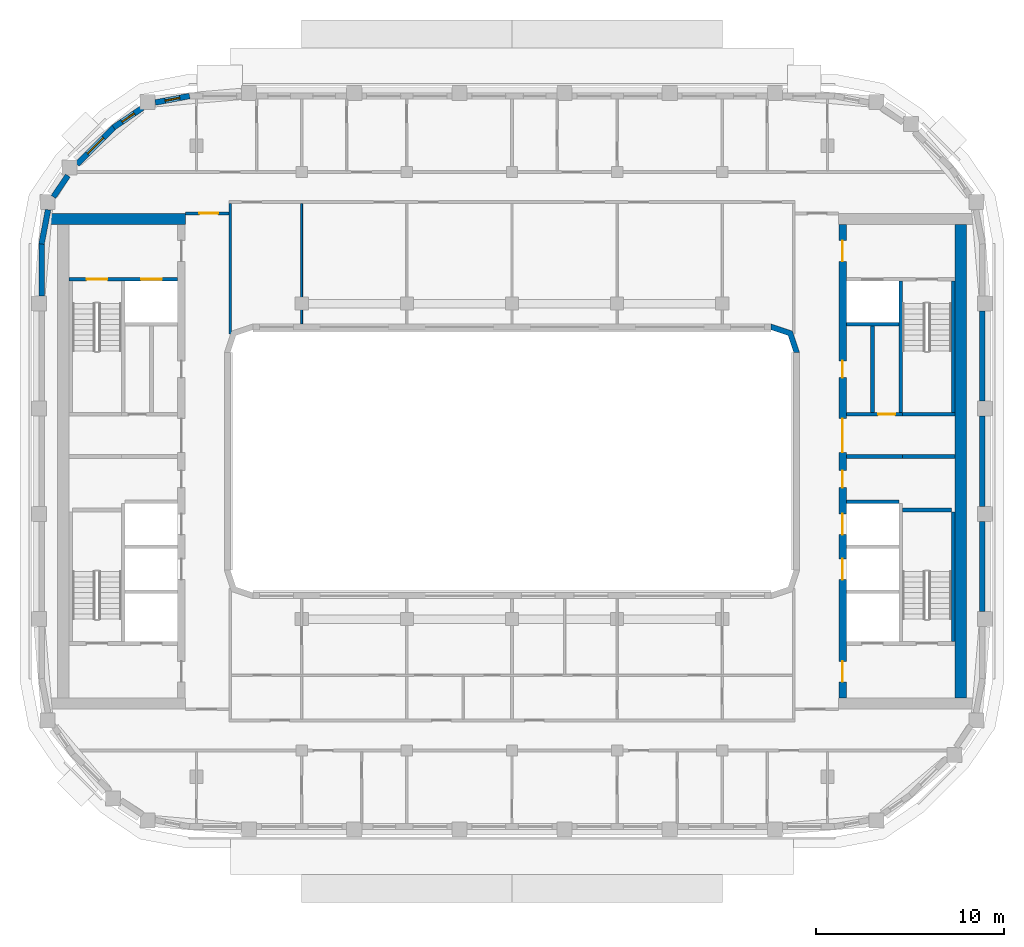
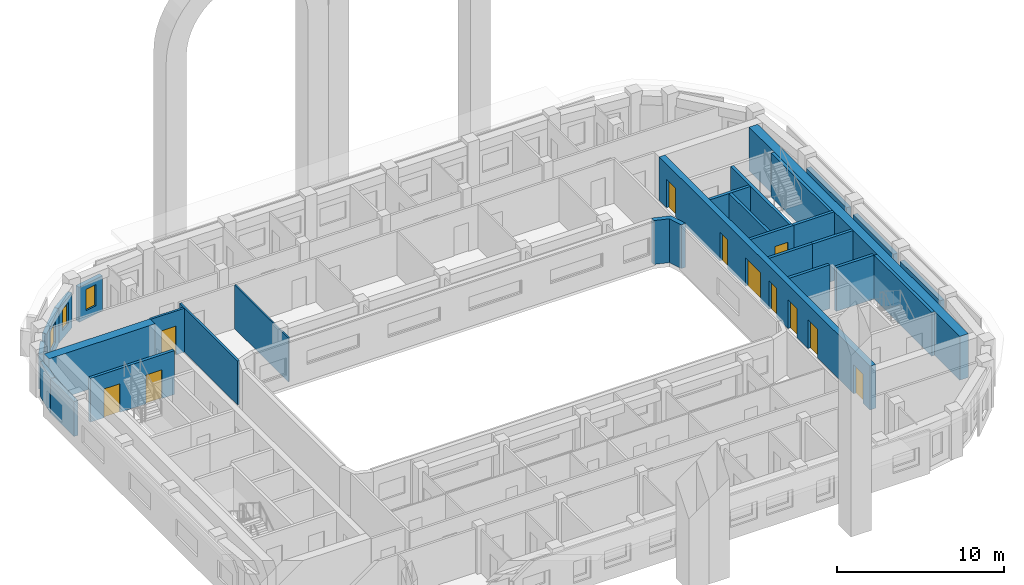
# One storey, part 6 of 18: 28 walls, 11 doors, 3 windows, 14 openings.
"""IFC4 building model written with IfcOpenShell, lengths in metres."""

from ifc_helpers import new_model, si_unit, direction, frame, frame_2d, origin, place, context, subcontext, project, spatial, polyline, rectangle, outline, extrude, material, layer, layer_set, type_object, element, fill, save


model = new_model("IFC4")

# Units and contexts
model_context = context("Model", 3, precision=1e-05, world=origin(), true_north=direction((0.0, 1.0)))
body_context = subcontext(model_context, "Body", "Model", "MODEL_VIEW")
ifc_project = project(units=[si_unit("LENGTHUNIT", "METRE"), si_unit("AREAUNIT", "SQUARE_METRE"), si_unit("VOLUMEUNIT", "CUBIC_METRE"), si_unit("PLANEANGLEUNIT", "RADIAN"), si_unit("MASSUNIT", "GRAM", prefix="KILO")], contexts=[model_context])

# Site, building, storey
site_placement = place(None, origin())
site = spatial("IfcSite", under=ifc_project, at=site_placement, CompositionType="ELEMENT")
building_placement = place(site_placement, origin())
building = spatial("IfcBuilding", under=site, at=building_placement, Name="Kiln Ring Residences", CompositionType="ELEMENT")
storey_placement = place(building_placement, frame((0.0, 0.0, 262.699951171875)))
storey = spatial("IfcBuildingStorey", under=building, at=storey_placement, Name="L68", CompositionType="ELEMENT", Elevation=262.699951171875)

# Walls
ifc_material_1 = material(Name="Gypsum board on steel studs", Category="steel")
ifc_layer_1 = layer(ifc_material_1, 0.199951171875)
ifc_layer_set_1 = layer_set([ifc_layer_1], Name="CORE-PARTITION-200")
wall_type_1 = type_object("IfcWallType", Name="CORE-PARTITION-200", PredefinedType="PARTITIONING", material=ifc_layer_set_1)
wall_1_placement = place(storey_placement, frame((20.800048828125, 0.25, 0.0), z_axis=(0.0, 0.0, 1.0), x_axis=(1.0, 0.0, 0.0)))
element("IfcWall", 1, at=wall_1_placement, inside=storey, type_object=wall_type_1, Name="Core partition east L68 1", PredefinedType="PARTITIONING", context=body_context, shape_type="SweptSolid", body=[
    extrude(rectangle(XDim=2.800048828125, YDim=0.199951171875, at=frame_2d((1.39990234375, 0.0))), origin(), (0.0, 0.0, 1.0), 3.199951171875),
])
wall_2_placement = place(storey_placement, frame((19.199951171875, 2.60009765625, 0.0), z_axis=(0.0, 0.0, 1.0), x_axis=(0.0, 1.0, 0.0)))
element("IfcWall", 2, at=wall_2_placement, inside=storey, type_object=wall_type_1, Name="Core partition east L68 2", PredefinedType="PARTITIONING", context=body_context, shape_type="SweptSolid", body=[
    extrude(rectangle(XDim=4.599853515625, YDim=0.199951171875, at=frame_2d((2.2998046875, 0.0))), origin(), (0.0, 0.0, 1.0), 3.199951171875),
])
ifc_material_2 = material(Name="Gypsum shaft wall system")
ifc_layer_2 = layer(ifc_material_2, 0.199951171875)
ifc_layer_set_2 = layer_set([ifc_layer_2], Name="CORE-SHAFT-WALL-200")
wall_type_2 = type_object("IfcWallType", Name="CORE-SHAFT-WALL-200", PredefinedType="PARTITIONING", material=ifc_layer_set_2)
wall_3_placement = place(storey_placement, frame((17.800048828125, -2.14990234375, 0.0), z_axis=(0.0, 0.0, 1.0), x_axis=(1.0, 0.0, 0.0)))
element("IfcWall", 3, at=wall_3_placement, inside=storey, type_object=wall_type_2, Name="Core partition east L68 5", PredefinedType="PARTITIONING", context=body_context, shape_type="SweptSolid", body=[
    extrude(rectangle(XDim=2.800048828125, YDim=0.199951171875, at=frame_2d((1.39990234375, 0.0))), origin(), (0.0, 0.0, 1.0), 3.199951171875),
])
wall_4_placement = place(storey_placement, frame((17.800048828125, 0.25, 0.0), z_axis=(0.0, 0.0, 1.0), x_axis=(1.0, 0.0, 0.0)))
element("IfcWall", 4, at=wall_4_placement, inside=storey, type_object=wall_type_2, Name="Core partition east L68 6", PredefinedType="PARTITIONING", context=body_context, shape_type="SweptSolid", body=[
    extrude(rectangle(XDim=3.0, YDim=0.199951171875, at=frame_2d((1.5, 0.0))), origin(), (0.0, 0.0, 1.0), 3.199951171875),
])

# Wall, opening, door
wall_5_placement = place(storey_placement, frame((17.800048828125, 2.5, 0.0), z_axis=(0.0, 0.0, 1.0), x_axis=(1.0, 0.0, 0.0)))
wall_5 = element("IfcWall", 5, at=wall_5_placement, inside=storey, type_object=wall_type_2, Name="Core partition east L68 7", PredefinedType="PARTITIONING", context=body_context, shape_type="SweptSolid", body=[
    extrude(rectangle(XDim=3.0, YDim=0.199951171875, at=frame_2d((1.5, 0.0))), origin(), (0.0, 0.0, 1.0), 3.199951171875),
])
opening_1_placement = place(wall_5_placement, frame((1.699951171875, 0.0, 0.0)))
opening_1 = element("IfcOpeningElement", 6, at=opening_1_placement, cuts=wall_5, Name="Opening L68-CE06", PredefinedType="OPENING", context=body_context, shape_type="SweptSolid", body=[
    extrude(rectangle(XDim=0.89990234375, YDim=2.10009765625, at=frame_2d((0.449951171875, 1.050048828125))), frame((0.0, 0.10986328125, 0.0), z_axis=(0.0, -1.0, 0.0), x_axis=(1.0, 0.0, 0.0)), (0.0, 0.0, 1.0), 0.219970703125),
])
ifc_material_3 = material(Name="Steel door leaf", Category="steel")
door_type_1 = type_object("IfcDoorType", Name="CORE-DOOR-ROOM", OperationType="SINGLE_SWING_LEFT", PredefinedType="DOOR", material=ifc_material_3)
door_1_placement = place(opening_1_placement, origin())
door_1 = element("IfcDoor", 7, at=door_1_placement, inside=storey, type_object=door_type_1, Name="Service store L68-CE06", OperationType="SINGLE_SWING_RIGHT", OverallHeight=2.10009765625, OverallWidth=0.89990234375, PredefinedType="DOOR", context=body_context, shape_type="SweptSolid", body=[
    extrude(rectangle(XDim=0.89990234375, YDim=2.10009765625, at=frame_2d((0.449951171875, 1.050048828125))), frame((0.0, 0.02490234375, 0.0), z_axis=(0.0, -1.0, 0.0), x_axis=(1.0, 0.0, 0.0)), (0.0, 0.0, 1.0), 0.050048828125),
])
fill(opening_1, door_1)

# Wall
wall_6_placement = place(storey_placement, frame((17.800048828125, 7.300048828125, 0.0), z_axis=(0.0, 0.0, 1.0), x_axis=(1.0, 0.0, 0.0)))
element("IfcWall", 8, at=wall_6_placement, inside=storey, type_object=wall_type_2, Name="Core partition east L68 8", PredefinedType="PARTITIONING", context=body_context, shape_type="SweptSolid", body=[
    extrude(rectangle(XDim=2.800048828125, YDim=0.199951171875, at=frame_2d((1.39990234375, 0.0))), origin(), (0.0, 0.0, 1.0), 3.199951171875),
])

# Wall, openings, doors
ifc_material_4 = material(Name="Concrete C40/50", Category="concrete")
ifc_layer_3 = layer(ifc_material_4, 0.199951171875)
ifc_layer_set_3 = layer_set([ifc_layer_3], Name="CORE-WALL-RC200")
wall_type_3 = type_object("IfcWallType", Name="CORE-WALL-RC200", PredefinedType="SHEAR", material=ifc_layer_set_3)
wall_7_placement = place(storey_placement, frame((-17.800048828125, 9.699951171875, 0.0), z_axis=(0.0, 0.0, 1.0), x_axis=(-1.0, 0.0, 0.0)))
wall_7 = element("IfcWall", 9, at=wall_7_placement, inside=storey, type_object=wall_type_3, Name="Core wall west L68 9", PredefinedType="SHEAR", context=body_context, shape_type="SweptSolid", body=[
    extrude(rectangle(XDim=5.800048828125, YDim=0.199951171875, at=frame_2d((2.89990234375, 0.0))), origin(), (0.0, 0.0, 1.0), 3.199951171875),
])
opening_2_placement = place(wall_7_placement, frame((0.85009765625, 0.0, 0.0)))
opening_2 = element("IfcOpeningElement", 10, at=opening_2_placement, cuts=wall_7, Name="Opening L68-CW07", PredefinedType="OPENING", context=body_context, shape_type="SweptSolid", body=[
    extrude(rectangle(XDim=1.10009765625, YDim=2.10009765625, at=frame_2d((0.550048828125, 1.050048828125))), frame((0.0, 0.10986328125, 0.0), z_axis=(0.0, -1.0, 0.0), x_axis=(1.0, 0.0, 0.0)), (0.0, 0.0, 1.0), 0.219970703125),
])
opening_3_placement = place(wall_7_placement, frame((3.75, 0.0, 0.0)))
opening_3 = element("IfcOpeningElement", 11, at=opening_3_placement, cuts=wall_7, Name="Opening L68-CW10", PredefinedType="OPENING", context=body_context, shape_type="SweptSolid", body=[
    extrude(rectangle(XDim=1.10009765625, YDim=2.10009765625, at=frame_2d((0.550048828125, 1.050048828125))), frame((0.0, 0.10986328125, 0.0), z_axis=(0.0, -1.0, 0.0), x_axis=(1.0, 0.0, 0.0)), (0.0, 0.0, 1.0), 0.219970703125),
])
ifc_material_5 = material(Name="Steel door leaf", Category="steel")
door_type_2 = type_object("IfcDoorType", Name="CORE-DOOR-LD", OperationType="DOUBLE_DOOR_SLIDING", PredefinedType="DOOR", material=ifc_material_5)
door_2_placement = place(opening_2_placement, origin())
door_2 = element("IfcDoor", 12, at=door_2_placement, inside=storey, type_object=door_type_2, Name="LD W-FF L68-CW07", OperationType="DOUBLE_DOOR_SLIDING", OverallHeight=2.10009765625, OverallWidth=1.10009765625, PredefinedType="DOOR", context=body_context, shape_type="SweptSolid", body=[
    extrude(rectangle(XDim=1.10009765625, YDim=2.10009765625, at=frame_2d((0.550048828125, 1.050048828125))), frame((0.0, 0.02490234375, 0.0), z_axis=(0.0, -1.0, 0.0), x_axis=(1.0, 0.0, 0.0)), (0.0, 0.0, 1.0), 0.050048828125),
])
fill(opening_2, door_2)
ifc_material_6 = material(Name="Steel door leaf", Category="steel")
door_type_3 = type_object("IfcDoorType", Name="CORE-DOOR-STAIR", OperationType="SINGLE_SWING_LEFT", PredefinedType="DOOR", material=ifc_material_6)
door_3_placement = place(opening_3_placement, origin())
door_3 = element("IfcDoor", 13, at=door_3_placement, inside=storey, type_object=door_type_3, Name="Stair W-STN L68-CW10", OperationType="SINGLE_SWING_RIGHT", OverallHeight=2.10009765625, OverallWidth=1.10009765625, PredefinedType="DOOR", context=body_context, shape_type="SweptSolid", body=[
    extrude(rectangle(XDim=1.10009765625, YDim=2.10009765625, at=frame_2d((0.550048828125, 1.050048828125))), frame((0.0, 0.02490234375, 0.0), z_axis=(0.0, -1.0, 0.0), x_axis=(1.0, 0.0, 0.0)), (0.0, 0.0, 1.0), 0.050048828125),
])
fill(opening_3, door_3)

# Walls
wall_8_placement = place(storey_placement, frame((20.699951171875, 2.60009765625, 0.0), z_axis=(0.0, 0.0, 1.0), x_axis=(0.0, 1.0, 0.0)))
element("IfcWall", 14, at=wall_8_placement, inside=storey, type_object=wall_type_3, Name="Core wall east L68 1", PredefinedType="SHEAR", context=body_context, shape_type="SweptSolid", body=[
    extrude(rectangle(XDim=7.0, YDim=0.199951171875, at=frame_2d((3.5, 0.0))), origin(), (0.0, 0.0, 1.0), 3.199951171875),
])
wall_9_placement = place(storey_placement, frame((20.800048828125, 2.5, 0.0), z_axis=(0.0, 0.0, 1.0), x_axis=(1.0, 0.0, 0.0)))
element("IfcWall", 15, at=wall_9_placement, inside=storey, type_object=wall_type_3, Name="Core wall east L68 3", PredefinedType="SHEAR", context=body_context, shape_type="SweptSolid", body=[
    extrude(rectangle(XDim=2.800048828125, YDim=0.199951171875, at=frame_2d((1.39990234375, 0.0))), origin(), (0.0, 0.0, 1.0), 3.199951171875),
])
wall_10_placement = place(storey_placement, frame((23.5, 2.60009765625, 0.0), z_axis=(0.0, 0.0, 1.0), x_axis=(0.0, 1.0, 0.0)))
element("IfcWall", 16, at=wall_10_placement, inside=storey, type_object=wall_type_3, Name="Core wall east L68 10", PredefinedType="SHEAR", context=body_context, shape_type="SweptSolid", body=[
    extrude(rectangle(XDim=7.0, YDim=0.199951171875, at=frame_2d((3.5, 0.0))), origin(), (0.0, 0.0, 1.0), 3.199951171875),
])
wall_11_placement = place(storey_placement, frame((23.5, -9.60009765625, 0.0), z_axis=(0.0, 0.0, 1.0), x_axis=(0.0, 1.0, 0.0)))
element("IfcWall", 17, at=wall_11_placement, inside=storey, type_object=wall_type_3, Name="Core wall east L68 11", PredefinedType="SHEAR", context=body_context, shape_type="SweptSolid", body=[
    extrude(rectangle(XDim=6.900146484375, YDim=0.199951171875, at=frame_2d((3.4501953125, 0.0))), origin(), (0.0, 0.0, 1.0), 3.199951171875),
])
wall_12_placement = place(storey_placement, frame((20.800048828125, -2.60009765625, 0.0), z_axis=(0.0, 0.0, 1.0), x_axis=(1.0, 0.0, 0.0)))
element("IfcWall", 18, at=wall_12_placement, inside=storey, type_object=wall_type_3, Name="Core wall east L68 12", PredefinedType="SHEAR", context=body_context, shape_type="SweptSolid", body=[
    extrude(rectangle(XDim=2.599853515625, YDim=0.199951171875, at=frame_2d((1.2998046875, 0.0))), origin(), (0.0, 0.0, 1.0), 3.199951171875),
])

# Wall, openings, doors
ifc_material_7 = material(Name="Concrete C60/75", Category="concrete")
ifc_layer_4 = layer(ifc_material_7, 0.39990234375)
ifc_layer_set_4 = layer_set([ifc_layer_4], Name="CORE-WALL-RC400")
wall_type_4 = type_object("IfcWallType", Name="CORE-WALL-RC400", PredefinedType="SHEAR", material=ifc_layer_set_4)
wall_13_placement = place(storey_placement, frame((17.60009765625, -12.60009765625, 0.0), z_axis=(0.0, 0.0, 1.0), x_axis=(0.0, 1.0, 0.0)))
wall_13 = element("IfcWall", 19, at=wall_13_placement, inside=storey, type_object=wall_type_4, Name="Core wall east L68 6", PredefinedType="SHEAR", context=body_context, shape_type="SweptSolid", body=[
    extrude(rectangle(XDim=25.2001953125, YDim=0.39990234375, at=frame_2d((12.60009765625, 0.0))), origin(), (0.0, 0.0, 1.0), 3.199951171875),
])
opening_4_placement = place(wall_13_placement, frame((6.300048828125, 0.0, 0.0)))
opening_4 = element("IfcOpeningElement", 20, at=opening_4_placement, cuts=wall_13, Name="Opening L68-CE02", PredefinedType="OPENING", context=body_context, shape_type="SweptSolid", body=[
    extrude(rectangle(XDim=1.10009765625, YDim=2.10009765625, at=frame_2d((0.550048828125, 1.050048828125))), frame((0.0, 0.2099609375, 0.0), z_axis=(0.0, -1.0, 0.0), x_axis=(1.0, 0.0, 0.0)), (0.0, 0.0, 1.0), 0.419921875),
])
opening_5_placement = place(wall_13_placement, frame((8.699951171875, 0.0, 0.0)))
opening_5 = element("IfcOpeningElement", 21, at=opening_5_placement, cuts=wall_13, Name="Opening L68-CE03", PredefinedType="OPENING", context=body_context, shape_type="SweptSolid", body=[
    extrude(rectangle(XDim=1.10009765625, YDim=2.10009765625, at=frame_2d((0.550048828125, 1.050048828125))), frame((0.0, 0.2099609375, 0.0), z_axis=(0.0, -1.0, 0.0), x_axis=(1.0, 0.0, 0.0)), (0.0, 0.0, 1.0), 0.419921875),
])
opening_6_placement = place(wall_13_placement, frame((11.199951171875, 0.0, 0.0)))
opening_6 = element("IfcOpeningElement", 22, at=opening_6_placement, cuts=wall_13, Name="Opening L68-CE04", PredefinedType="OPENING", context=body_context, shape_type="SweptSolid", body=[
    extrude(rectangle(XDim=0.89990234375, YDim=2.10009765625, at=frame_2d((0.449951171875, 1.050048828125))), frame((0.0, 0.2099609375, 0.0), z_axis=(0.0, -1.0, 0.0), x_axis=(1.0, 0.0, 0.0)), (0.0, 0.0, 1.0), 0.419921875),
])
opening_7_placement = place(wall_13_placement, frame((17.050048828125, 0.0, 0.0)))
opening_7 = element("IfcOpeningElement", 23, at=opening_7_placement, cuts=wall_13, Name="Opening L68-CE05", PredefinedType="OPENING", context=body_context, shape_type="SweptSolid", body=[
    extrude(rectangle(XDim=0.89990234375, YDim=2.10009765625, at=frame_2d((0.449951171875, 1.050048828125))), frame((0.0, 0.2099609375, 0.0), z_axis=(0.0, -1.0, 0.0), x_axis=(1.0, 0.0, 0.0)), (0.0, 0.0, 1.0), 0.419921875),
])
opening_8_placement = place(wall_13_placement, frame((23.25, 0.0, 0.0)))
opening_8 = element("IfcOpeningElement", 24, at=opening_8_placement, cuts=wall_13, Name="Opening L68-CE08", PredefinedType="OPENING", context=body_context, shape_type="SweptSolid", body=[
    extrude(rectangle(XDim=1.10009765625, YDim=2.10009765625, at=frame_2d((0.550048828125, 1.050048828125))), frame((0.0, 0.2099609375, 0.0), z_axis=(0.0, -1.0, 0.0), x_axis=(1.0, 0.0, 0.0)), (0.0, 0.0, 1.0), 0.419921875),
])
opening_9_placement = place(wall_13_placement, frame((0.85009765625, 0.0, 0.0)))
opening_9 = element("IfcOpeningElement", 25, at=opening_9_placement, cuts=wall_13, Name="Opening L68-CE09", PredefinedType="OPENING", context=body_context, shape_type="SweptSolid", body=[
    extrude(rectangle(XDim=1.10009765625, YDim=2.10009765625, at=frame_2d((0.550048828125, 1.050048828125))), frame((0.0, 0.2099609375, 0.0), z_axis=(0.0, -1.0, 0.0), x_axis=(1.0, 0.0, 0.0)), (0.0, 0.0, 1.0), 0.419921875),
])
opening_10_placement = place(wall_13_placement, frame((13.074951171875, 0.0, 0.0)))
opening_10 = element("IfcOpeningElement", 26, at=opening_10_placement, cuts=wall_13, Name="Opening L68-CE12", PredefinedType="OPENING", context=body_context, shape_type="SweptSolid", body=[
    extrude(rectangle(XDim=1.800048828125, YDim=2.10009765625, at=frame_2d((0.89990234375, 1.050048828125))), frame((0.0, 0.2099609375, 0.0), z_axis=(0.0, -1.0, 0.0), x_axis=(1.0, 0.0, 0.0)), (0.0, 0.0, 1.0), 0.419921875),
])
door_4_placement = place(opening_4_placement, origin())
door_4 = element("IfcDoor", 27, at=door_4_placement, inside=storey, type_object=door_type_2, Name="LD E-H1 L68-CE02", OperationType="DOUBLE_DOOR_SLIDING", OverallHeight=2.10009765625, OverallWidth=1.10009765625, PredefinedType="DOOR", context=body_context, shape_type="SweptSolid", body=[
    extrude(rectangle(XDim=1.10009765625, YDim=2.10009765625, at=frame_2d((0.550048828125, 1.050048828125))), frame((0.0, 0.02490234375, 0.0), z_axis=(0.0, -1.0, 0.0), x_axis=(1.0, 0.0, 0.0)), (0.0, 0.0, 1.0), 0.050048828125),
])
fill(opening_4, door_4)
door_5_placement = place(opening_5_placement, origin())
door_5 = element("IfcDoor", 28, at=door_5_placement, inside=storey, type_object=door_type_2, Name="LD E-H2 L68-CE03", OperationType="DOUBLE_DOOR_SLIDING", OverallHeight=2.10009765625, OverallWidth=1.10009765625, PredefinedType="DOOR", context=body_context, shape_type="SweptSolid", body=[
    extrude(rectangle(XDim=1.10009765625, YDim=2.10009765625, at=frame_2d((0.550048828125, 1.050048828125))), frame((0.0, 0.02490234375, 0.0), z_axis=(0.0, -1.0, 0.0), x_axis=(1.0, 0.0, 0.0)), (0.0, 0.0, 1.0), 0.050048828125),
])
fill(opening_5, door_5)
ifc_material_8 = material(Name="Steel door leaf", Category="steel")
door_type_4 = type_object("IfcDoorType", Name="CORE-DOOR-LOBBY", OperationType="SINGLE_SWING_LEFT", PredefinedType="DOOR", material=ifc_material_8)
door_6_placement = place(opening_8_placement, origin())
door_6 = element("IfcDoor", 29, at=door_6_placement, inside=storey, type_object=door_type_4, Name="FFL L68-CE08", OperationType="SINGLE_SWING_RIGHT", OverallHeight=2.10009765625, OverallWidth=1.10009765625, PredefinedType="DOOR", context=body_context, shape_type="SweptSolid", body=[
    extrude(rectangle(XDim=1.10009765625, YDim=2.10009765625, at=frame_2d((0.550048828125, 1.050048828125))), frame((0.0, 0.02490234375, 0.0), z_axis=(0.0, -1.0, 0.0), x_axis=(1.0, 0.0, 0.0)), (0.0, 0.0, 1.0), 0.050048828125),
])
fill(opening_8, door_6)
door_7_placement = place(opening_9_placement, origin())
door_7 = element("IfcDoor", 30, at=door_7_placement, inside=storey, type_object=door_type_4, Name="SVL L68-CE09", OperationType="SINGLE_SWING_LEFT", OverallHeight=2.10009765625, OverallWidth=1.10009765625, PredefinedType="DOOR", context=body_context, shape_type="SweptSolid", body=[
    extrude(rectangle(XDim=1.10009765625, YDim=2.10009765625, at=frame_2d((0.550048828125, 1.050048828125))), frame((0.0, 0.02490234375, 0.0), z_axis=(0.0, -1.0, 0.0), x_axis=(1.0, 0.0, 0.0)), (0.0, 0.0, 1.0), 0.050048828125),
])
fill(opening_9, door_7)
ifc_material_9 = material(Name="Steel door leaf", Category="steel")
door_type_5 = type_object("IfcDoorType", Name="CORE-DOOR-PASS", OperationType="DOUBLE_DOOR_SINGLE_SWING", PredefinedType="DOOR", material=ifc_material_9)
door_8_placement = place(opening_10_placement, origin())
door_8 = element("IfcDoor", 31, at=door_8_placement, inside=storey, type_object=door_type_5, Name="Core passage L68-CE12", OperationType="DOUBLE_DOOR_SINGLE_SWING", OverallHeight=2.10009765625, OverallWidth=1.800048828125, PredefinedType="DOOR", context=body_context, shape_type="SweptSolid", body=[
    extrude(rectangle(XDim=1.800048828125, YDim=2.10009765625, at=frame_2d((0.89990234375, 1.050048828125))), frame((0.0, 0.02490234375, 0.0), z_axis=(0.0, -1.0, 0.0), x_axis=(1.0, 0.0, 0.0)), (0.0, 0.0, 1.0), 0.050048828125),
])
fill(opening_10, door_8)
door_9_placement = place(opening_6_placement, origin())
door_9 = element("IfcDoor", 32, at=door_9_placement, inside=storey, type_object=door_type_1, Name="Recycling store L68-CE04", OperationType="SINGLE_SWING_LEFT", OverallHeight=2.10009765625, OverallWidth=0.89990234375, PredefinedType="DOOR", context=body_context, shape_type="SweptSolid", body=[
    extrude(rectangle(XDim=0.89990234375, YDim=2.10009765625, at=frame_2d((0.449951171875, 1.050048828125))), frame((0.0, 0.02490234375, 0.0), z_axis=(0.0, -1.0, 0.0), x_axis=(1.0, 0.0, 0.0)), (0.0, 0.0, 1.0), 0.050048828125),
])
fill(opening_6, door_9)
door_10_placement = place(opening_7_placement, origin())
door_10 = element("IfcDoor", 33, at=door_10_placement, inside=storey, type_object=door_type_1, Name="Linen store L68-CE05", OperationType="SINGLE_SWING_RIGHT", OverallHeight=2.10009765625, OverallWidth=0.89990234375, PredefinedType="DOOR", context=body_context, shape_type="SweptSolid", body=[
    extrude(rectangle(XDim=0.89990234375, YDim=2.10009765625, at=frame_2d((0.449951171875, 1.050048828125))), frame((0.0, 0.02490234375, 0.0), z_axis=(0.0, -1.0, 0.0), x_axis=(1.0, 0.0, 0.0)), (0.0, 0.0, 1.0), 0.050048828125),
])
fill(opening_7, door_10)

# Walls
ifc_material_10 = material(Name="Concrete C60/75", Category="concrete")
ifc_layer_5 = layer(ifc_material_10, 0.60009765625)
ifc_layer_set_5 = layer_set([ifc_layer_5], Name="CORE-WALL-RC600")
wall_type_5 = type_object("IfcWallType", Name="CORE-WALL-RC600", PredefinedType="SHEAR", material=ifc_layer_set_5)
wall_14_placement = place(storey_placement, frame((-17.39990234375, 12.89990234375, 0.0), z_axis=(0.0, 0.0, 1.0), x_axis=(-1.0, 0.0, 0.0)))
element("IfcWall", 34, at=wall_14_placement, inside=storey, type_object=wall_type_5, Name="Core wall west L68 4", PredefinedType="SHEAR", context=body_context, shape_type="SweptSolid", body=[
    extrude(rectangle(XDim=7.320068359375, YDim=0.60009765625, at=frame_2d((3.66015625, 0.0))), origin(), (0.0, 0.0, 1.0), 3.199951171875),
])
wall_15_placement = place(storey_placement, frame((23.89990234375, -12.60009765625, 0.0), z_axis=(0.0, 0.0, 1.0), x_axis=(0.0, 1.0, 0.0)))
element("IfcWall", 35, at=wall_15_placement, inside=storey, type_object=wall_type_5, Name="Core wall east L68 7", PredefinedType="SHEAR", context=body_context, shape_type="SweptSolid", body=[
    extrude(rectangle(XDim=25.2001953125, YDim=0.60009765625, at=frame_2d((12.60009765625, 0.0))), origin(), (0.0, 0.0, 1.0), 3.199951171875),
])
ifc_material_11 = material(Name="Brick masonry, dark clay brick", Category="masonry")
ifc_layer_6 = layer(ifc_material_11, 0.300048828125)
ifc_layer_set_6 = layer_set([ifc_layer_6], Name="EW-300 BRICK WALL")
wall_type_6 = type_object("IfcWallType", Name="EW-300 BRICK WALL", PredefinedType="SOLIDWALL", material=ifc_layer_set_6)
wall_16_placement = place(storey_placement, frame((25.050048828125, -8.0, 0.0), z_axis=(0.0, 0.0, 1.0), x_axis=(0.0, 1.0, 0.0)))
element("IfcWall", 36, at=wall_16_placement, inside=storey, type_object=wall_type_6, Name="Facade wall L68 17", PredefinedType="SOLIDWALL", context=body_context, shape_type="SweptSolid", body=[
    extrude(rectangle(XDim=4.800048828125, YDim=0.300048828125, at=frame_2d((2.39990234375, 0.0))), origin(), (0.0, 0.0, 1.0), 2.550048828125),
])
wall_17_placement = place(storey_placement, frame((25.050048828125, -2.39990234375, 0.0), z_axis=(0.0, 0.0, 1.0), x_axis=(0.0, 1.0, 0.0)))
element("IfcWall", 37, at=wall_17_placement, inside=storey, type_object=wall_type_6, Name="Facade wall L68 18", PredefinedType="SOLIDWALL", context=body_context, shape_type="SweptSolid", body=[
    extrude(rectangle(XDim=4.7998046875, YDim=0.300048828125, at=frame_2d((2.39990234375, 0.0))), origin(), (0.0, 0.0, 1.0), 2.550048828125),
])
wall_18_placement = place(storey_placement, frame((25.050048828125, 3.199951171875, 0.0), z_axis=(0.0, 0.0, 1.0), x_axis=(0.0, 1.0, 0.0)))
element("IfcWall", 38, at=wall_18_placement, inside=storey, type_object=wall_type_6, Name="Facade wall L68 19", PredefinedType="SOLIDWALL", context=body_context, shape_type="SweptSolid", body=[
    extrude(rectangle(XDim=4.800048828125, YDim=0.300048828125, at=frame_2d((2.39990234375, 0.0))), origin(), (0.0, 0.0, 1.0), 2.550048828125),
])

# Wall, opening, window
wall_19_placement = place(storey_placement, frame((-17.171875, 19.45263671875, 0.0), z_axis=(0.0, 0.0, 1.0), x_axis=(-0.982301706131, -0.187305520826, 0.0)))
wall_19 = element("IfcWall", 39, at=wall_19_placement, inside=storey, type_object=wall_type_6, Name="Facade wall L68 33", PredefinedType="SOLIDWALL", context=body_context, shape_type="SweptSolid", body=[
    extrude(rectangle(XDim=1.856201171875, YDim=0.300048828125, at=frame_2d((0.92822265625, 0.0))), origin(), (0.0, 0.0, 1.0), 2.550048828125),
])
opening_11_placement = place(wall_19_placement, frame((0.528076171875, 0.0, 0.60009765625)))
opening_11 = element("IfcOpeningElement", 40, at=opening_11_placement, cuts=wall_19, Name="Opening W5", PredefinedType="OPENING", context=body_context, shape_type="SweptSolid", body=[
    extrude(rectangle(XDim=0.800048828125, YDim=1.550048828125, at=frame_2d((0.39990234375, 0.77490234375))), frame((0.0, 0.159912109375, 0.0), z_axis=(0.0, -1.0, 0.0), x_axis=(1.0, 0.0, 0.0)), (0.0, 0.0, 1.0), 0.320068359375),
])
ifc_material_12 = material(Name="Aluminium frame with double glazing", Category="aluminium")
window_type_1 = type_object("IfcWindowType", Name="WINDOW 800 x 1550", PartitioningType="SINGLE_PANEL", PredefinedType="WINDOW", material=ifc_material_12)
window_1_placement = place(opening_11_placement, origin())
window_1 = element("IfcWindow", 41, at=window_1_placement, inside=storey, type_object=window_type_1, Name="Window L68 33", OverallHeight=1.550048828125, OverallWidth=0.800048828125, PartitioningType="SINGLE_PANEL", PredefinedType="WINDOW", context=body_context, shape_type="SweptSolid", body=[
    extrude(rectangle(XDim=0.800048828125, YDim=1.550048828125, at=frame_2d((0.39990234375, 0.77490234375))), frame((0.0, 0.030029296875, 0.0), z_axis=(0.0, -1.0, 0.0), x_axis=(1.0, 0.0, 0.0)), (0.0, 0.0, 1.0), 0.06005859375),
])
fill(opening_11, window_1)

wall_20_placement = place(storey_placement, frame((-19.677734375, 18.822265625, 0.0), z_axis=(0.0, 0.0, 1.0), x_axis=(-0.826997446962, -0.562205676526, 0.0)))
wall_20 = element("IfcWall", 42, at=wall_20_placement, inside=storey, type_object=wall_type_6, Name="Facade wall L68 34", PredefinedType="SOLIDWALL", context=body_context, shape_type="SweptSolid", body=[
    extrude(rectangle(XDim=1.85595703125, YDim=0.300048828125, at=frame_2d((0.927978515625, 0.0))), origin(), (0.0, 0.0, 1.0), 2.550048828125),
])
opening_12_placement = place(wall_20_placement, frame((0.528076171875, 0.0, 0.60009765625)))
opening_12 = element("IfcOpeningElement", 43, at=opening_12_placement, cuts=wall_20, Name="Opening W5", PredefinedType="OPENING", context=body_context, shape_type="SweptSolid", body=[
    extrude(rectangle(XDim=0.800048828125, YDim=1.550048828125, at=frame_2d((0.39990234375, 0.77490234375))), frame((0.0, 0.159912109375, 0.0), z_axis=(0.0, -1.0, 0.0), x_axis=(1.0, 0.0, 0.0)), (0.0, 0.0, 1.0), 0.320068359375),
])
window_2_placement = place(opening_12_placement, origin())
window_2 = element("IfcWindow", 44, at=window_2_placement, inside=storey, type_object=window_type_1, Name="Window L68 34", OverallHeight=1.550048828125, OverallWidth=0.800048828125, PartitioningType="SINGLE_PANEL", PredefinedType="WINDOW", context=body_context, shape_type="SweptSolid", body=[
    extrude(rectangle(XDim=0.800048828125, YDim=1.550048828125, at=frame_2d((0.39990234375, 0.77490234375))), frame((0.0, 0.030029296875, 0.0), z_axis=(0.0, -1.0, 0.0), x_axis=(1.0, 0.0, 0.0)), (0.0, 0.0, 1.0), 0.06005859375),
])
fill(opening_12, window_2)

wall_21_placement = place(storey_placement, frame((-21.19091796875, 17.796875, 0.0), z_axis=(0.0, 0.0, 1.0), x_axis=(-0.707106781187, -0.707106781187, 0.0)))
wall_21 = element("IfcWall", 45, at=wall_21_placement, inside=storey, type_object=wall_type_6, Name="Facade wall L68 35", PredefinedType="SOLIDWALL", context=body_context, shape_type="SweptSolid", body=[
    extrude(rectangle(XDim=2.800048828125, YDim=0.300048828125, at=frame_2d((1.39990234375, 0.0))), origin(), (0.0, 0.0, 1.0), 2.550048828125),
])
opening_13_placement = place(wall_21_placement, frame((0.800048828125, 0.0, 0.60009765625)))
opening_13 = element("IfcOpeningElement", 46, at=opening_13_placement, cuts=wall_21, Name="Opening W1", PredefinedType="OPENING", context=body_context, shape_type="SweptSolid", body=[
    extrude(rectangle(XDim=1.199951171875, YDim=1.550048828125, at=frame_2d((0.60009765625, 0.77490234375))), frame((0.0, 0.159912109375, 0.0), z_axis=(0.0, -1.0, 0.0), x_axis=(1.0, 0.0, 0.0)), (0.0, 0.0, 1.0), 0.320068359375),
])
ifc_material_13 = material(Name="Aluminium frame with double glazing", Category="aluminium")
window_type_2 = type_object("IfcWindowType", Name="WINDOW 1200 x 1550", PartitioningType="SINGLE_PANEL", PredefinedType="WINDOW", material=ifc_material_13)
window_3_placement = place(opening_13_placement, origin())
window_3 = element("IfcWindow", 47, at=window_3_placement, inside=storey, type_object=window_type_2, Name="Window L68 35", OverallHeight=1.550048828125, OverallWidth=1.199951171875, PartitioningType="SINGLE_PANEL", PredefinedType="WINDOW", context=body_context, shape_type="SweptSolid", body=[
    extrude(rectangle(XDim=1.199951171875, YDim=1.550048828125, at=frame_2d((0.60009765625, 0.77490234375))), frame((0.0, 0.030029296875, 0.0), z_axis=(0.0, -1.0, 0.0), x_axis=(1.0, 0.0, 0.0)), (0.0, 0.0, 1.0), 0.06005859375),
])
fill(opening_13, window_3)

# Walls
wall_22_placement = place(storey_placement, frame((-23.648193359375, 15.216552734375, 0.0), z_axis=(0.0, 0.0, 1.0), x_axis=(-0.562043265151, -0.827107833416, 0.0)))
element("IfcWall", 48, at=wall_22_placement, inside=storey, type_object=wall_type_6, Name="Facade wall L68 36", PredefinedType="SOLIDWALL", context=body_context, shape_type="SweptSolid", body=[
    extrude(rectangle(XDim=1.376953125, YDim=0.300048828125, at=frame_2d((0.6884765625, 0.0))), origin(), (0.0, 0.0, 1.0), 2.550048828125),
])
wall_23_placement = place(storey_placement, frame((-24.704833984375, 13.395263671875, 0.0), z_axis=(0.0, 0.0, 1.0), x_axis=(-0.187408222942, -0.982282117303, 0.0)))
element("IfcWall", 49, at=wall_23_placement, inside=storey, type_object=wall_type_6, Name="Facade wall L68 37", PredefinedType="SOLIDWALL", context=body_context, shape_type="SweptSolid", body=[
    extrude(rectangle(XDim=1.8564453125, YDim=0.300048828125, at=frame_2d((0.92822265625, 0.0))), origin(), (0.0, 0.0, 1.0), 2.550048828125),
])
wall_24_placement = place(storey_placement, frame((-25.050048828125, 11.60009765625, 0.0), z_axis=(0.0, 0.0, 1.0), x_axis=(0.0, -1.0, 0.0)))
element("IfcWall", 50, at=wall_24_placement, inside=storey, type_object=wall_type_6, Name="Facade wall L68 38", PredefinedType="SOLIDWALL", context=body_context, shape_type="SweptSolid", body=[
    extrude(rectangle(XDim=2.800048828125, YDim=0.300048828125, at=frame_2d((1.39990234375, 0.0))), origin(), (0.0, 0.0, 1.0), 2.550048828125),
])
wall_25_placement = place(storey_placement, origin())
element("IfcWall", 51, at=wall_25_placement, inside=storey, type_object=wall_type_6, Name="Corner wall L68 2", PredefinedType="SOLIDWALL", context=body_context, shape_type="SweptSolid", body=[
    extrude(outline(polyline([(14.937255859375, 6.937255859375), (13.8486328125, 7.300048828125), (13.800048828125, 7.300048828125), (13.800048828125, 7.0), (14.699951171875, 6.699951171875), (15.0, 5.800048828125), (15.300048828125, 5.800048828125), (15.300048828125, 5.8486328125), (14.937255859375, 6.937255859375)])), origin(), (0.0, 0.0, 1.0), 3.199951171875),
])
ifc_material_14 = material(Name="Gypsum board on steel studs", Category="steel")
ifc_layer_7 = layer(ifc_material_14, 0.10009765625)
ifc_layer_set_7 = layer_set([ifc_layer_7], Name="PARTITION-100")
wall_type_7 = type_object("IfcWallType", Name="PARTITION-100", PredefinedType="PARTITIONING", material=ifc_layer_set_7)
wall_26_placement = place(storey_placement, frame((-11.199951171875, 7.320068359375, 0.0), z_axis=(0.0, 0.0, 1.0), x_axis=(0.0, 1.0, 0.0)))
element("IfcWall", 52, at=wall_26_placement, inside=storey, type_object=wall_type_7, Name="Partition 017", PredefinedType="PARTITIONING", context=body_context, shape_type="SweptSolid", body=[
    extrude(rectangle(XDim=6.405029296875, YDim=0.10009765625, at=frame_2d((3.20263671875, 0.0))), origin(), (0.0, 0.0, 1.0), 3.199951171875),
])

# Wall, opening, door
ifc_material_15 = material(Name="Brick masonry partition", Category="masonry")
ifc_layer_8 = layer(ifc_material_15, 0.14990234375)
ifc_layer_set_8 = layer_set([ifc_layer_8], Name="PARTITION-150-ei60")
wall_type_8 = type_object("IfcWallType", Name="PARTITION-150-ei60", PredefinedType="PARTITIONING", material=ifc_layer_set_8)
wall_27_placement = place(storey_placement, frame((-17.39990234375, 13.199951171875, 0.0), z_axis=(0.0, 0.0, 1.0), x_axis=(1.0, 0.0, 0.0)))
wall_27 = element("IfcWall", 53, at=wall_27_placement, inside=storey, type_object=wall_type_8, Name="Partition 005", PredefinedType="PARTITIONING", context=body_context, shape_type="SweptSolid", body=[
    extrude(rectangle(XDim=2.324951171875, YDim=0.14990234375, at=frame_2d((1.16259765625, 0.0))), origin(), (0.0, 0.0, 1.0), 3.199951171875),
])
opening_14_placement = place(wall_27_placement, frame((0.75, 0.0, 0.0)))
opening_14 = element("IfcOpeningElement", 54, at=opening_14_placement, cuts=wall_27, Name="Opening L68-D001", PredefinedType="OPENING", context=body_context, shape_type="SweptSolid", body=[
    extrude(rectangle(XDim=1.0, YDim=2.10009765625, at=frame_2d((0.5, 1.050048828125))), frame((0.0, 0.0849609375, 0.0), z_axis=(0.0, -1.0, 0.0), x_axis=(1.0, 0.0, 0.0)), (0.0, 0.0, 1.0), 0.169921875),
])
ifc_material_16 = material(Name="Steel faced fire door leaf", Category="steel")
door_type_6 = type_object("IfcDoorType", Name="FLAT-DOOR-1000-FR", OperationType="SINGLE_SWING_LEFT", PredefinedType="DOOR", material=ifc_material_16)
door_11_placement = place(opening_14_placement, origin())
door_11 = element("IfcDoor", 55, at=door_11_placement, inside=storey, type_object=door_type_6, Name="Door L68-D001", OperationType="SINGLE_SWING_RIGHT", OverallHeight=2.10009765625, OverallWidth=1.0, PredefinedType="DOOR", context=body_context, shape_type="SweptSolid", body=[
    extrude(rectangle(XDim=1.0, YDim=2.10009765625, at=frame_2d((0.5, 1.050048828125))), frame((0.0, 0.02490234375, 0.0), z_axis=(0.0, -1.0, 0.0), x_axis=(1.0, 0.0, 0.0)), (0.0, 0.0, 1.0), 0.050048828125),
])
fill(opening_14, door_11)

# Wall
wall_28_placement = place(storey_placement, frame((-15.0, 6.768798828125, 0.0), z_axis=(0.0, 0.0, 1.0), x_axis=(0.0, 1.0, 0.0)))
element("IfcWall", 56, at=wall_28_placement, inside=storey, type_object=wall_type_8, Name="Partition 012", PredefinedType="PARTITIONING", context=body_context, shape_type="SweptSolid", body=[
    extrude(rectangle(XDim=6.956298828125, YDim=0.14990234375, at=frame_2d((3.47802734375, 0.0))), origin(), (0.0, 0.0, 1.0), 3.199951171875),
])

save(model, "model.ifc")
